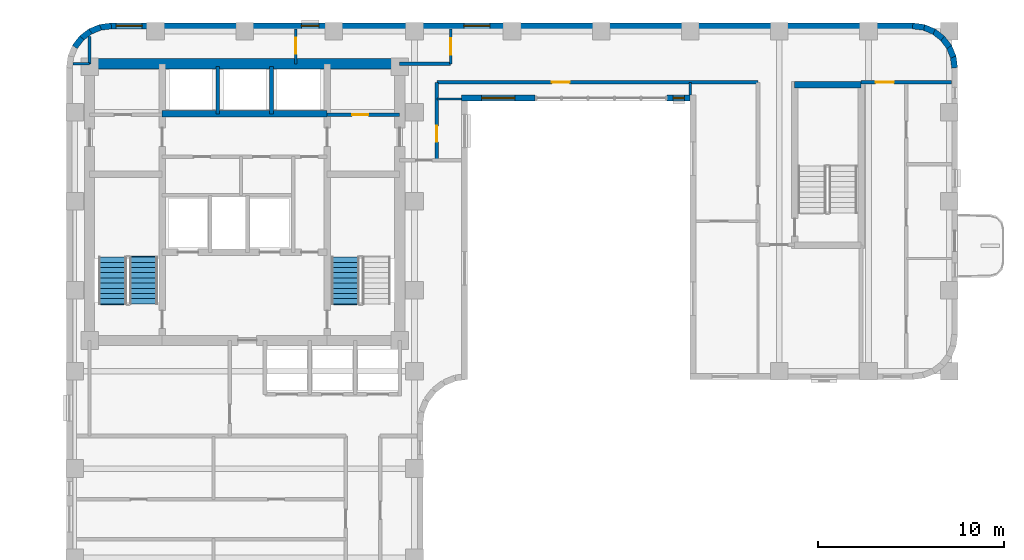
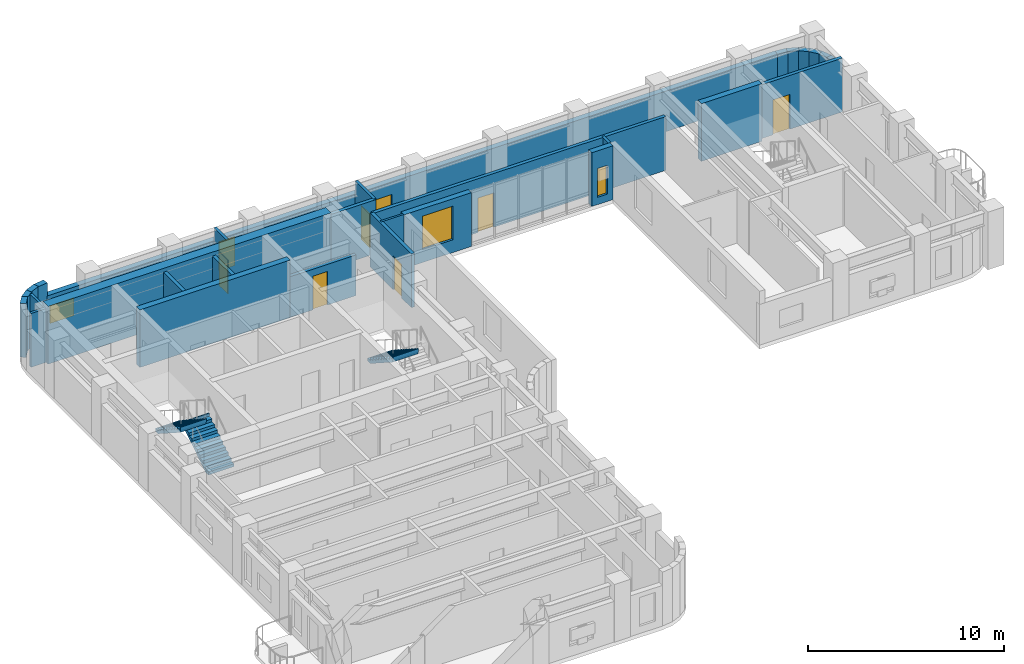
# One storey, part 7 of 11: 29 walls, 6 doors, 5 windows, 3 stair flights, 11 openings, 2 elements without a shape of their own.
"""IFC4 building model written with IfcOpenShell, lengths in metres."""

import ifcopenshell
import ifcopenshell.guid

model = None  # the IFC model being written
_history = None  # IfcOwnerHistory: only IFC2X3 demands one
_inside = {}  # id of a spatial element -> (the spatial element, [elements in it])
_under = {}  # id of a project, library or spatial element -> (it, [spatial elements below it])
_declared = {}  # id of a project -> (the project, [libraries it declares])
_typed = {}  # id of a type object -> (the type object, [elements of that type])
_made_of = {}  # id of a material, layer set ... -> (it, [elements and type objects made of it])


def new_model(schema):
    """Start an empty IFC model of exactly this schema.

    Asked for "IFC4X3", IfcOpenShell would pick the latest addendum, in which some entities
    have other attributes; the version numbers below select the first issue.
    IFC2X3 requires an IfcOwnerHistory on every rooted entity: one is made here for all.
    """
    global model, _history
    if schema == "IFC4X3":
        model = ifcopenshell.file(schema_version=(4, 3, 0, 0))
    else:
        model = ifcopenshell.file(schema=schema)
    _inside.clear()
    _under.clear()
    _declared.clear()
    _typed.clear()
    _made_of.clear()
    _history = None
    if model.schema == "IFC2X3":
        org = make("IfcOrganization", Name="unknown")
        user = make(
            "IfcPersonAndOrganization",
            ThePerson=make("IfcPerson", FamilyName="unknown"),
            TheOrganization=org,
        )
        app = make(
            "IfcApplication",
            ApplicationDeveloper=org,
            Version="unknown",
            ApplicationFullName="unknown",
            ApplicationIdentifier="unknown",
        )
        _history = make(
            "IfcOwnerHistory",
            OwningUser=user,
            OwningApplication=app,
            ChangeAction="ADDED",
            CreationDate=0,
        )
    return model


def make(cls, **values):
    """One entity of the class cls with the attributes given. An attribute that is None is left unset."""
    return model.create_entity(
        cls, **{name: value for name, value in values.items() if value is not None}
    )


def rooted(cls, **values):
    """An entity with a GlobalId (a new one), such as an element, a storey or a relation."""
    return make(cls, GlobalId=ifcopenshell.guid.new(), OwnerHistory=_history, **values)


def si_unit(unit_type, name, prefix=None):
    """IfcSIUnit, for example si_unit("LENGTHUNIT", "METRE", prefix="MILLI")."""
    return make("IfcSIUnit", UnitType=unit_type, Prefix=prefix, Name=name)


def assignment(units):
    """IfcUnitAssignment: the units of a project."""
    return None if units is None else make("IfcUnitAssignment", Units=units)


def point(xyz):
    """IfcCartesianPoint."""
    return None if xyz is None else make("IfcCartesianPoint", Coordinates=xyz)


def direction(xyz):
    """IfcDirection."""
    return None if xyz is None else make("IfcDirection", DirectionRatios=xyz)


def frame(location, z_axis=None, x_axis=None):
    """IfcAxis2Placement3D, a coordinate frame: its origin and axes. An axis left out is left unset."""
    return make(
        "IfcAxis2Placement3D",
        Location=point(location),
        Axis=direction(z_axis),
        RefDirection=direction(x_axis),
    )


def frame_2d(location, x_axis=None):
    """IfcAxis2Placement2D, a coordinate frame in the plane: its origin and x axis."""
    return make(
        "IfcAxis2Placement2D", Location=point(location), RefDirection=direction(x_axis)
    )


def origin():
    """The frame at (0, 0, 0) with its axes left unset."""
    return frame((0.0, 0.0, 0.0))


def place(relative_to, where):
    """IfcLocalPlacement: puts the frame where relative to a parent placement (None: the world)."""
    return make(
        "IfcLocalPlacement", PlacementRelTo=relative_to, RelativePlacement=where
    )


def context(
    kind, dimensions, precision=None, world=None, true_north=None, identifier=None
):
    """IfcGeometricRepresentationContext, for example the 3D "Model" context."""
    return make(
        "IfcGeometricRepresentationContext",
        ContextIdentifier=identifier,
        ContextType=kind,
        CoordinateSpaceDimension=dimensions,
        Precision=precision,
        WorldCoordinateSystem=world,
        TrueNorth=true_north,
    )


def subcontext(parent, identifier, kind, view, scale=None):
    """IfcGeometricRepresentationSubContext, for example "Body" below "Model"."""
    return make(
        "IfcGeometricRepresentationSubContext",
        ContextIdentifier=identifier,
        ContextType=kind,
        ParentContext=parent,
        TargetScale=scale,
        TargetView=view,
    )


def project(units=None, contexts=None):
    """IfcProject with its units and contexts."""
    return rooted(
        "IfcProject",
        Name="project",
        RepresentationContexts=contexts,
        UnitsInContext=assignment(units),
    )


def spatial(cls, under=None, at=None, **own):
    """A site, building, storey or space (cls), placed at a placement, below another one or the project."""
    s = rooted(cls, ObjectPlacement=at, **own)
    if under is not None:
        _under.setdefault(under.id(), (under, []))[1].append(s)
    return s


def polyline(points):
    """IfcPolyline through the points."""
    return make("IfcPolyline", Points=[point(p) for p in points])


def profile(cls, at=None, kind="AREA", **sizes):
    """A parametric profile (cls). Its sizes go by their IFC names, for example OverallWidth=200.0."""
    return make(cls, ProfileType=kind, Position=at, **sizes)


def rectangle(**sizes):
    """IfcRectangleProfileDef."""
    return profile("IfcRectangleProfileDef", **sizes)


def outline(outer, holes=None, kind="AREA"):
    """IfcArbitraryClosedProfileDef: a profile drawn as a closed curve; with holes, ...WithVoids."""
    if holes is None:
        return make("IfcArbitraryClosedProfileDef", ProfileType=kind, OuterCurve=outer)
    return make(
        "IfcArbitraryProfileDefWithVoids",
        ProfileType=kind,
        OuterCurve=outer,
        InnerCurves=holes,
    )


def extrude(swept, where, along, depth):
    """IfcExtrudedAreaSolid: the profile swept, set in the frame where, extruded along a direction by depth."""
    return make(
        "IfcExtrudedAreaSolid",
        SweptArea=swept,
        Position=where,
        ExtrudedDirection=direction(along),
        Depth=depth,
    )


def shape(context_of_items, identifier, shape_type, items):
    """IfcShapeRepresentation: the items that make up one representation, for example the "Body"."""
    return make(
        "IfcShapeRepresentation",
        ContextOfItems=context_of_items,
        RepresentationIdentifier=identifier,
        RepresentationType=shape_type,
        Items=items,
    )


def material(Name=None, Category=None):
    """IfcMaterial."""
    return make("IfcMaterial", Name=Name, Category=Category)


def layer(
    of_material, thickness, ventilated=None, Name=None, Category=None, Priority=None
):
    """IfcMaterialLayer: one layer of a wall or slab, of a material (None: an air gap)."""
    return make(
        "IfcMaterialLayer",
        Material=of_material,
        LayerThickness=thickness,
        IsVentilated=ventilated,
        Name=Name,
        Category=Category,
        Priority=Priority,
    )


def layer_set(layers, Name=None):
    """IfcMaterialLayerSet."""
    return make("IfcMaterialLayerSet", MaterialLayers=layers, LayerSetName=Name)


def made_of(thing, what):
    """Note that an element or type object is made of a material, layer set ...; save() writes the relation."""
    if what is not None:
        _made_of.setdefault(what.id(), (what, []))[1].append(thing)
    return thing


def type_object(cls, material=None, **own):
    """A type object (cls), such as IfcWallType, which elements share."""
    return made_of(rooted(cls, **own), material)


def element(
    cls,
    number,
    at=None,
    inside=None,
    cuts=None,
    type_object=None,
    material=None,
    context=None,
    identifier="Body",
    shape_type=None,
    held_by="IfcProductDefinitionShape",
    body=None,
    shapes=None,
    **own,
):
    """One element of the class cls, such as IfcWall. Its Tag is "e" and its number.

    at: its placement. inside: the storey or other place that contains it. cuts: it is an
    opening in that element (IfcRelVoidsElement). A single representation is given by context,
    identifier, shape_type and body (its items); several are given by shapes. held_by: the class
    of the entity that holds the representations. save() writes the other relations.
    """
    e = rooted(cls, Tag="e%d" % number, ObjectPlacement=at, **own)
    if body is not None:
        shapes = [shape(context, identifier, shape_type, body)]
    if shapes is not None:
        e.Representation = make(held_by, Representations=shapes)
    if inside is not None:
        _inside.setdefault(inside.id(), (inside, []))[1].append(e)
    if cuts is not None:
        rooted(
            "IfcRelVoidsElement", RelatingBuildingElement=cuts, RelatedOpeningElement=e
        )
    if type_object is not None:
        _typed.setdefault(type_object.id(), (type_object, []))[1].append(e)
    return made_of(e, material)


def fill(opening, filler):
    """IfcRelFillsElement: the door or window that sits in an opening."""
    return rooted(
        "IfcRelFillsElement",
        RelatingOpeningElement=opening,
        RelatedBuildingElement=filler,
    )


def aggregate(whole, parts):
    """IfcRelAggregates: a whole, such as a stair, and the parts it consists of."""
    return rooted("IfcRelAggregates", RelatingObject=whole, RelatedObjects=parts)


def save(model, path):
    """Write the relations noted so far, then the file.

    IfcRelAggregates (storeys below a building ...), IfcRelContainedInSpatialStructure (elements
    in a storey), IfcRelDefinesByType, IfcRelAssociatesMaterial and IfcRelDeclares: one each for
    every whole, place, type object, material and project.
    """
    for whole, parts in _under.values():
        aggregate(whole, parts)
    for where, things in _inside.values():
        rooted(
            "IfcRelContainedInSpatialStructure",
            RelatedElements=things,
            RelatingStructure=where,
        )
    for kind, things in _typed.values():
        rooted("IfcRelDefinesByType", RelatedObjects=things, RelatingType=kind)
    for what, things in _made_of.values():
        rooted("IfcRelAssociatesMaterial", RelatedObjects=things, RelatingMaterial=what)
    for by, libraries in _declared.values():
        rooted("IfcRelDeclares", RelatingContext=by, RelatedDefinitions=libraries)
    model.write(path)


model = new_model("IFC4")

# Units and contexts
model_context = context("Model", 3, precision=1e-05, world=origin(), true_north=direction((0.0, 1.0)))
body_context = subcontext(model_context, "Body", "Model", "MODEL_VIEW")
ifc_project = project(units=[si_unit("LENGTHUNIT", "METRE"), si_unit("AREAUNIT", "SQUARE_METRE"), si_unit("VOLUMEUNIT", "CUBIC_METRE"), si_unit("PLANEANGLEUNIT", "RADIAN"), si_unit("MASSUNIT", "GRAM", prefix="KILO")], contexts=[model_context])

# Site, building, storey
site_placement = place(None, origin())
site = spatial("IfcSite", under=ifc_project, at=site_placement, CompositionType="ELEMENT")
building_placement = place(site_placement, origin())
building = spatial("IfcBuilding", under=site, at=building_placement, Name="Orvandelia Arch Residences", CompositionType="ELEMENT")
storey_placement = place(building_placement, frame((0.0, 0.0, 157.60009765625)))
storey = spatial("IfcBuildingStorey", under=building, at=storey_placement, Name="L41", CompositionType="ELEMENT", Elevation=157.60009765625)

# Walls
ifc_material_1 = material(Name="Concrete C50/60", Category="concrete")
ifc_layer_1 = layer(ifc_material_1, 0.35009765625, Name="Concrete C50/60", Category="concrete")
ifc_layer_set_1 = layer_set([ifc_layer_1], Name="Concrete C50/60")
wall_type_1 = type_object("IfcWallType", Name="WL-CORE-350", PredefinedType="SHEAR", material=ifc_layer_set_1)
wall_1_placement = place(storey_placement, frame((9.9599609375, 43.10009765625, 0.0), z_axis=(0.0, 0.0, 1.0), x_axis=(1.0, 0.0, 0.0)))
element("IfcWall", 1, at=wall_1_placement, inside=storey, type_object=wall_type_1, Name="Core Shear Wall L41-HZ4", PredefinedType="SHEAR", context=body_context, shape_type="SweptSolid", body=[
    extrude(rectangle(XDim=8.880126953125, YDim=0.35009765625, at=frame_2d((4.43994140625, 0.0))), origin(), (0.0, 0.0, 1.0), 3.599853515625),
])
wall_2_placement = place(storey_placement, frame((44.02001953125, 44.659912109375, 0.0), z_axis=(0.0, 0.0, 1.0), x_axis=(1.0, 0.0, 0.0)))
element("IfcWall", 2, at=wall_2_placement, inside=storey, type_object=wall_type_1, Name="East Stair Core Shear Wall L41-N", PredefinedType="SHEAR", context=body_context, shape_type="SweptSolid", body=[
    extrude(rectangle(XDim=3.580078125, YDim=0.35009765625, at=frame_2d((1.7900390625, 0.0))), origin(), (0.0, 0.0, 1.0), 3.599853515625),
])
ifc_material_2 = material(Name="Concrete C60/75", Category="concrete")
ifc_layer_2 = layer(ifc_material_2, 0.550048828125, Name="Concrete C60/75", Category="concrete")
ifc_layer_set_2 = layer_set([ifc_layer_2], Name="Concrete C60/75")
wall_type_2 = type_object("IfcWallType", Name="WL-CORE-550", PredefinedType="SHEAR", material=ifc_layer_set_2)
wall_3_placement = place(storey_placement, frame((6.050048828125, 45.800048828125, 0.0), z_axis=(0.0, 0.0, 1.0), x_axis=(1.0, 0.0, 0.0)))
element("IfcWall", 3, at=wall_3_placement, inside=storey, type_object=wall_type_2, Name="Core Shear Wall L41-N", PredefinedType="SHEAR", context=body_context, shape_type="SweptSolid", body=[
    extrude(rectangle(XDim=16.699951171875, YDim=0.550048828125, at=frame_2d((8.35009765625, 0.0))), origin(), (0.0, 0.0, 1.0), 3.599853515625),
])
ifc_material_3 = material(Name="Fire-Rated Corridor Partition")
ifc_layer_3 = layer(ifc_material_3, 0.199951171875, Name="Fire-Rated Corridor Partition")
ifc_layer_set_3 = layer_set([ifc_layer_3], Name="Fire-Rated Corridor Partition")
wall_type_3 = type_object("IfcWallType", Name="WL-CORR-200", PredefinedType="PARTITIONING", material=ifc_layer_set_3)
wall_4_placement = place(storey_placement, frame((22.75, 45.800048828125, 0.0), z_axis=(0.0, 0.0, 1.0), x_axis=(1.0, 0.0, 0.0)))
element("IfcWall", 4, at=wall_4_placement, inside=storey, type_object=wall_type_3, Name="Interior Partition Wall WL-L41-NCE-S", PredefinedType="PARTITIONING", context=body_context, shape_type="SweptSolid", body=[
    extrude(rectangle(XDim=2.75, YDim=0.199951171875, at=frame_2d((1.375, 0.0))), origin(), (0.0, 0.0, 1.0), 3.35986328125),
])

# Wall, opening, door
wall_5_placement = place(storey_placement, frame((24.75, 44.800048828125, 0.0), z_axis=(0.0, 0.0, 1.0), x_axis=(1.0, 0.0, 0.0)))
wall_5 = element("IfcWall", 5, at=wall_5_placement, inside=storey, type_object=wall_type_3, Name="Interior Partition Wall WL-L41-ENP-S1", PredefinedType="PARTITIONING", context=body_context, shape_type="SweptSolid", body=[
    extrude(rectangle(XDim=17.300048828125, YDim=0.199951171875, at=frame_2d((8.64990234375, 0.0))), origin(), (0.0, 0.0, 1.0), 3.35986328125),
])
opening_1_placement = place(wall_5_placement, frame((6.199951171875, 0.0, 0.0)))
opening_1 = element("IfcOpeningElement", 6, at=opening_1_placement, cuts=wall_5, Name="Opening D2", PredefinedType="OPENING", context=body_context, shape_type="SweptSolid", body=[
    extrude(rectangle(XDim=0.949951171875, YDim=2.14990234375, at=frame_2d((0.47509765625, 1.074951171875))), frame((0.0, 0.10986328125, 0.0), z_axis=(0.0, -1.0, 0.0), x_axis=(1.0, 0.0, 0.0)), (0.0, 0.0, 1.0), 0.219970703125),
])
ifc_material_4 = material(Name="Solid-Core Timber Interior Fire Door", Category="wood")
door_type_1 = type_object("IfcDoorType", Name="DR-APT-950", OperationType="NOTDEFINED", PredefinedType="DOOR", material=ifc_material_4)
door_1_placement = place(opening_1_placement, origin())
door_1 = element("IfcDoor", 7, at=door_1_placement, inside=storey, type_object=door_type_1, Name="DR-L41-VPBRG", OperationType="SINGLE_SWING_LEFT", OverallHeight=2.14990234375, OverallWidth=0.949951171875, PredefinedType="DOOR", context=body_context, shape_type="SweptSolid", body=[
    extrude(rectangle(XDim=0.949951171875, YDim=2.14990234375, at=frame_2d((0.47509765625, 1.074951171875))), frame((0.0, 0.02490234375, 0.0), z_axis=(0.0, -1.0, 0.0), x_axis=(1.0, 0.0, 0.0)), (0.0, 0.0, 1.0), 0.050048828125),
])
fill(opening_1, door_1)

wall_6_placement = place(storey_placement, frame((47.60009765625, 44.800048828125, 0.0), z_axis=(0.0, 0.0, 1.0), x_axis=(1.0, 0.0, 0.0)))
wall_6 = element("IfcWall", 8, at=wall_6_placement, inside=storey, type_object=wall_type_3, Name="Interior Partition Wall WL-L41-ENP-S2", PredefinedType="PARTITIONING", context=body_context, shape_type="SweptSolid", body=[
    extrude(rectangle(XDim=4.8798828125, YDim=0.199951171875, at=frame_2d((2.43994140625, 0.0))), origin(), (0.0, 0.0, 1.0), 3.35986328125),
])
opening_2_placement = place(wall_6_placement, frame((0.79150390625, 0.0, 0.0)))
opening_2 = element("IfcOpeningElement", 9, at=opening_2_placement, cuts=wall_6, Name="Opening D1", PredefinedType="OPENING", context=body_context, shape_type="SweptSolid", body=[
    extrude(rectangle(XDim=0.97998046875, YDim=2.179931640625, at=frame_2d((0.489990234375, 1.08984375))), frame((0.0, 0.10986328125, 0.0), z_axis=(0.0, -1.0, 0.0), x_axis=(1.0, 0.0, 0.0)), (0.0, 0.0, 1.0), 0.219970703125),
])
ifc_material_5 = material(Name="Solid-Core Timber Acoustic Fire Door", Category="wood")
door_type_2 = type_object("IfcDoorType", Name="DR-ENT-980", OperationType="NOTDEFINED", PredefinedType="DOOR", material=ifc_material_5)
door_2_placement = place(opening_2_placement, origin())
door_2 = element("IfcDoor", 10, at=door_2_placement, inside=storey, type_object=door_type_2, Name="Unit L41-04 Entrance Door", OperationType="SINGLE_SWING_RIGHT", OverallHeight=2.179931640625, OverallWidth=0.97998046875, PredefinedType="DOOR", context=body_context, shape_type="SweptSolid", body=[
    extrude(rectangle(XDim=0.97998046875, YDim=2.179931640625, at=frame_2d((0.489990234375, 1.08984375))), frame((0.0, 0.02490234375, 0.0), z_axis=(0.0, -1.0, 0.0), x_axis=(1.0, 0.0, 0.0)), (0.0, 0.0, 1.0), 0.050048828125),
])
fill(opening_2, door_2)

wall_7_placement = place(storey_placement, frame((24.75, 40.60009765625, 0.0), z_axis=(0.0, 0.0, 1.0), x_axis=(0.0, 1.0, 0.0)))
wall_7 = element("IfcWall", 11, at=wall_7_placement, inside=storey, type_object=wall_type_3, Name="Interior Partition Wall WL-L41-ENP-LW", PredefinedType="PARTITIONING", context=body_context, shape_type="SweptSolid", body=[
    extrude(rectangle(XDim=4.199951171875, YDim=0.199951171875, at=frame_2d((2.10009765625, 0.0))), origin(), (0.0, 0.0, 1.0), 3.35986328125),
])
opening_3_placement = place(wall_7_placement, frame((1.0, 0.0, 0.0)))
opening_3 = element("IfcOpeningElement", 12, at=opening_3_placement, cuts=wall_7, Name="Opening D4", PredefinedType="OPENING", context=body_context, shape_type="SweptSolid", body=[
    extrude(rectangle(XDim=0.860107421875, YDim=2.10009765625, at=frame_2d((0.43017578125, 1.050048828125))), frame((0.0, 0.10986328125, 0.0), z_axis=(0.0, -1.0, 0.0), x_axis=(1.0, 0.0, 0.0)), (0.0, 0.0, 1.0), 0.219970703125),
])
ifc_material_6 = material(Name="Moisture-Sealed Timber Bathroom Door", Category="wood")
door_type_3 = type_object("IfcDoorType", Name="DR-WET-900", OperationType="NOTDEFINED", PredefinedType="DOOR", material=ifc_material_6)
door_3_placement = place(opening_3_placement, origin())
door_3 = element("IfcDoor", 13, at=door_3_placement, inside=storey, type_object=door_type_3, Name="DR-L41-VPWNK", OperationType="SINGLE_SWING_RIGHT", OverallHeight=2.10009765625, OverallWidth=0.860107421875, PredefinedType="DOOR", context=body_context, shape_type="SweptSolid", body=[
    extrude(rectangle(XDim=0.860107421875, YDim=2.10009765625, at=frame_2d((0.43017578125, 1.050048828125))), frame((0.0, 0.02490234375, 0.0), z_axis=(0.0, -1.0, 0.0), x_axis=(1.0, 0.0, 0.0)), (0.0, 0.0, 1.0), 0.050048828125),
])
fill(opening_3, door_3)

# Walls
ifc_material_7 = material(Name="Precast concrete C40/50", Category="concrete")
ifc_layer_4 = layer(ifc_material_7, 0.320068359375, Name="Precast concrete C40/50", Category="concrete")
ifc_layer_set_4 = layer_set([ifc_layer_4], Name="Precast concrete C40/50")
wall_type_4 = type_object("IfcWallType", Name="WL-EXT-STONE-320", PredefinedType="STANDARD", material=ifc_layer_set_4)
wall_8_placement = place(storey_placement, frame((5.248291015625, 46.70263671875, 0.0), z_axis=(0.0, 0.0, 1.0), x_axis=(0.608938521285, 0.7932174212, 0.0)))
element("IfcWall", 14, at=wall_8_placement, inside=storey, type_object=wall_type_4, Name="Coral-Limestone Precast Facade Wall L41-003", PredefinedType="STANDARD", context=body_context, shape_type="SweptSolid", body=[
    extrude(rectangle(XDim=0.626708984375, YDim=0.320068359375, at=frame_2d((0.3134765625, 0.0))), origin(), (0.0, 0.0, 1.0), 3.35986328125),
])
wall_9_placement = place(storey_placement, frame((5.600341796875, 47.170166015625, 0.0), z_axis=(0.0, 0.0, 1.0), x_axis=(0.793405610854, 0.608693302629, 0.0)))
element("IfcWall", 15, at=wall_9_placement, inside=storey, type_object=wall_type_4, Name="Coral-Limestone Precast Facade Wall L41-004", PredefinedType="STANDARD", context=body_context, shape_type="SweptSolid", body=[
    extrude(rectangle(XDim=0.62646484375, YDim=0.320068359375, at=frame_2d((0.313232421875, 0.0))), origin(), (0.0, 0.0, 1.0), 3.35986328125),
])
wall_10_placement = place(storey_placement, frame((6.061279296875, 47.53076171875, 0.0), z_axis=(0.0, 0.0, 1.0), x_axis=(0.923836271867, 0.382787856107, 0.0)))
element("IfcWall", 16, at=wall_10_placement, inside=storey, type_object=wall_type_4, Name="Coral-Limestone Precast Facade Wall L41-005", PredefinedType="STANDARD", context=body_context, shape_type="SweptSolid", body=[
    extrude(rectangle(XDim=0.626220703125, YDim=0.320068359375, at=frame_2d((0.31298828125, 0.0))), origin(), (0.0, 0.0, 1.0), 3.35986328125),
])
wall_11_placement = place(storey_placement, frame((6.599609375, 47.759521484375, 0.0), z_axis=(0.0, 0.0, 1.0), x_axis=(0.991447664465, 0.130504898859, 0.0)))
element("IfcWall", 17, at=wall_11_placement, inside=storey, type_object=wall_type_4, Name="Coral-Limestone Precast Facade Wall L41-006", PredefinedType="STANDARD", context=body_context, shape_type="SweptSolid", body=[
    extrude(rectangle(XDim=0.626708984375, YDim=0.320068359375, at=frame_2d((0.3134765625, 0.0))), origin(), (0.0, 0.0, 1.0), 3.35986328125),
])

# Wall, openings, windows
wall_12_placement = place(storey_placement, frame((7.199951171875, 47.840087890625, 0.0), z_axis=(0.0, 0.0, 1.0), x_axis=(1.0, 0.0, 0.0)))
wall_12 = element("IfcWall", 18, at=wall_12_placement, inside=storey, type_object=wall_type_4, Name="Coral-Limestone Precast Facade Wall L41-007", PredefinedType="STANDARD", context=body_context, shape_type="SweptSolid", body=[
    extrude(rectangle(XDim=43.199951171875, YDim=0.320068359375, at=frame_2d((21.60009765625, 0.0))), origin(), (0.0, 0.0, 1.0), 2.539794921875),
])
opening_4_placement = place(wall_12_placement, frame((19.00244140625, 0.0, 0.64990234375)))
opening_4 = element("IfcOpeningElement", 19, at=opening_4_placement, cuts=wall_12, Name="Opening W10", PredefinedType="OPENING", context=body_context, shape_type="SweptSolid", body=[
    extrude(rectangle(XDim=1.39990234375, YDim=1.10009765625, at=frame_2d((0.699951171875, 0.550048828125))), frame((0.0, 0.169921875, 0.0), z_axis=(0.0, -1.0, 0.0), x_axis=(1.0, 0.0, 0.0)), (0.0, 0.0, 1.0), 0.340087890625),
])
opening_5_placement = place(wall_12_placement, frame((0.282470703125, 0.0, 0.64990234375)))
opening_5 = element("IfcOpeningElement", 20, at=opening_5_placement, cuts=wall_12, Name="Opening W10", PredefinedType="OPENING", context=body_context, shape_type="SweptSolid", body=[
    extrude(rectangle(XDim=1.39990234375, YDim=1.10009765625, at=frame_2d((0.699951171875, 0.550048828125))), frame((0.0, 0.169921875, 0.0), z_axis=(0.0, -1.0, 0.0), x_axis=(1.0, 0.0, 0.0)), (0.0, 0.0, 1.0), 0.340087890625),
])
opening_6_placement = place(wall_12_placement, frame((10.25244140625, 0.0, 0.449951171875)))
opening_6 = element("IfcOpeningElement", 21, at=opening_6_placement, cuts=wall_12, Name="Opening W4", PredefinedType="OPENING", context=body_context, shape_type="SweptSolid", body=[
    extrude(rectangle(XDim=0.949951171875, YDim=1.800048828125, at=frame_2d((0.47509765625, 0.89990234375))), frame((0.0, 0.169921875, 0.0), z_axis=(0.0, -1.0, 0.0), x_axis=(1.0, 0.0, 0.0)), (0.0, 0.0, 1.0), 0.340087890625),
])
ifc_material_8 = material(Name="Tempered Low-E Insulated Glazing", Category="glass")
window_type_1 = type_object("IfcWindowType", Name="WIN-CLR-1400x1100", PartitioningType="SINGLE_PANEL", PredefinedType="WINDOW", material=ifc_material_8)
window_1_placement = place(opening_4_placement, origin())
window_1 = element("IfcWindow", 22, at=window_1_placement, inside=storey, type_object=window_type_1, Name="Recessed Punched Window L41-001", OverallHeight=1.10009765625, OverallWidth=1.39990234375, PartitioningType="SINGLE_PANEL", PredefinedType="WINDOW", context=body_context, shape_type="SweptSolid", body=[
    extrude(rectangle(XDim=1.39990234375, YDim=1.10009765625, at=frame_2d((0.699951171875, 0.550048828125))), frame((0.0, 0.030029296875, 0.0), z_axis=(0.0, -1.0, 0.0), x_axis=(1.0, 0.0, 0.0)), (0.0, 0.0, 1.0), 0.06005859375),
])
fill(opening_4, window_1)
window_2_placement = place(opening_5_placement, origin())
window_2 = element("IfcWindow", 23, at=window_2_placement, inside=storey, type_object=window_type_1, Name="Recessed Punched Window L41-002", OverallHeight=1.10009765625, OverallWidth=1.39990234375, PartitioningType="SINGLE_PANEL", PredefinedType="WINDOW", context=body_context, shape_type="SweptSolid", body=[
    extrude(rectangle(XDim=1.39990234375, YDim=1.10009765625, at=frame_2d((0.699951171875, 0.550048828125))), frame((0.0, 0.030029296875, 0.0), z_axis=(0.0, -1.0, 0.0), x_axis=(1.0, 0.0, 0.0)), (0.0, 0.0, 1.0), 0.06005859375),
])
fill(opening_5, window_2)
window_type_2 = type_object("IfcWindowType", Name="WIN-RES-0950x1800", PartitioningType="SINGLE_PANEL", PredefinedType="WINDOW", material=ifc_material_8)
window_3_placement = place(opening_6_placement, origin())
window_3 = element("IfcWindow", 24, at=window_3_placement, inside=storey, type_object=window_type_2, Name="Recessed Punched Window L41-003", OverallHeight=1.800048828125, OverallWidth=0.949951171875, PartitioningType="SINGLE_PANEL", PredefinedType="WINDOW", context=body_context, shape_type="SweptSolid", body=[
    extrude(rectangle(XDim=0.949951171875, YDim=1.800048828125, at=frame_2d((0.47509765625, 0.89990234375))), frame((0.0, 0.030029296875, 0.0), z_axis=(0.0, -1.0, 0.0), x_axis=(1.0, 0.0, 0.0)), (0.0, 0.0, 1.0), 0.06005859375),
])
fill(opening_6, window_3)

# Walls
for number, where, z_axis, x_axis, name in (
    (25, (50.379150390625, 47.84130859375, 0.0), (0.0, 0.0, 1.0), (0.9914410257, -0.130555323746, 0.0), "Coral-Limestone Precast Facade Wall L41-008"),
    (26, (50.9599609375, 47.7705078125, 0.0), (0.0, 0.0, 1.0), (0.92389335771, -0.382650053678, 0.0), "Coral-Limestone Precast Facade Wall L41-009"),
    (27, (51.502685546875, 47.551513671875, 0.0), (0.0, 0.0, 1.0), (0.793405610854, -0.608693302629, 0.0), "Coral-Limestone Precast Facade Wall L41-010"),
    (28, (51.97021484375, 47.19970703125, 0.0), (0.0, 0.0, 1.0), (0.608693302629, -0.793405610854, 0.0), "Coral-Limestone Precast Facade Wall L41-011"),
    (29, (52.330810546875, 46.73876953125, 0.0), (0.0, 0.0, 1.0), (0.382317370307, -0.924031075431, 0.0), "Coral-Limestone Precast Facade Wall L41-012"),
    (30, (52.5595703125, 46.2001953125, 0.0), (0.0, 0.0, 1.0), (0.130555323746, -0.9914410257, 0.0), "Coral-Limestone Precast Facade Wall L41-013"),
):
    element("IfcWall", number, at=place(storey_placement, frame(where, z_axis=z_axis, x_axis=x_axis)), inside=storey, type_object=wall_type_4, Name=name, PredefinedType="STANDARD", context=body_context, shape_type="SweptSolid", body=[
        extrude(rectangle(XDim=0.62646484375, YDim=0.320068359375, at=frame_2d((0.313232421875, 0.0))), origin(), (0.0, 0.0, 1.0), 2.539794921875),
    ])

# Wall, opening, window
wall_13_placement = place(storey_placement, frame((38.39990234375, 43.9599609375, 0.0), z_axis=(0.0, 0.0, 1.0), x_axis=(-1.0, 0.0, 0.0)))
wall_13 = element("IfcWall", 31, at=wall_13_placement, inside=storey, type_object=wall_type_4, Name="Coral-Limestone Precast Facade Wall L41-023", PredefinedType="STANDARD", context=body_context, shape_type="SweptSolid", body=[
    extrude(rectangle(XDim=1.239990234375, YDim=0.320068359375, at=frame_2d((0.6201171875, 0.0))), origin(), (0.0, 0.0, 1.0), 3.35986328125),
])
opening_7_placement = place(wall_13_placement, frame((0.320068359375, 0.0, 0.449951171875)))
opening_7 = element("IfcOpeningElement", 32, at=opening_7_placement, cuts=wall_13, Name="Opening W12", PredefinedType="OPENING", context=body_context, shape_type="SweptSolid", body=[
    extrude(rectangle(XDim=0.60009765625, YDim=1.800048828125, at=frame_2d((0.300048828125, 0.89990234375))), frame((0.0, 0.169921875, 0.0), z_axis=(0.0, -1.0, 0.0), x_axis=(1.0, 0.0, 0.0)), (0.0, 0.0, 1.0), 0.340087890625),
])
window_type_3 = type_object("IfcWindowType", Name="WIN-LAN-0600x1800", PartitioningType="SINGLE_PANEL", PredefinedType="WINDOW", material=ifc_material_8)
window_4_placement = place(opening_7_placement, origin())
window_4 = element("IfcWindow", 33, at=window_4_placement, inside=storey, type_object=window_type_3, Name="Recessed Punched Window L41-012", OverallHeight=1.800048828125, OverallWidth=0.60009765625, PartitioningType="SINGLE_PANEL", PredefinedType="WINDOW", context=body_context, shape_type="SweptSolid", body=[
    extrude(rectangle(XDim=0.60009765625, YDim=1.800048828125, at=frame_2d((0.300048828125, 0.89990234375))), frame((0.0, 0.030029296875, 0.0), z_axis=(0.0, -1.0, 0.0), x_axis=(1.0, 0.0, 0.0)), (0.0, 0.0, 1.0), 0.06005859375),
])
fill(opening_7, window_4)

wall_14_placement = place(storey_placement, frame((30.0400390625, 43.9599609375, 0.0), z_axis=(0.0, 0.0, 1.0), x_axis=(-1.0, 0.0, 0.0)))
wall_14 = element("IfcWall", 34, at=wall_14_placement, inside=storey, type_object=wall_type_4, Name="Coral-Limestone Precast Facade Wall L41-024", PredefinedType="STANDARD", context=body_context, shape_type="SweptSolid", body=[
    extrude(rectangle(XDim=3.9599609375, YDim=0.320068359375, at=frame_2d((1.97998046875, 0.0))), origin(), (0.0, 0.0, 1.0), 3.35986328125),
])
opening_8_placement = place(wall_14_placement, frame((1.080078125, 0.0, 0.800048828125)))
opening_8 = element("IfcOpeningElement", 35, at=opening_8_placement, cuts=wall_14, Name="Opening W1", PredefinedType="OPENING", context=body_context, shape_type="SweptSolid", body=[
    extrude(rectangle(XDim=1.800048828125, YDim=2.10009765625, at=frame_2d((0.89990234375, 1.050048828125))), frame((0.0, 0.169921875, 0.0), z_axis=(0.0, -1.0, 0.0), x_axis=(1.0, 0.0, 0.0)), (0.0, 0.0, 1.0), 0.340087890625),
])
window_type_4 = type_object("IfcWindowType", Name="WIN-RES-1800x2100", PartitioningType="SINGLE_PANEL", PredefinedType="WINDOW", material=ifc_material_8)
window_5_placement = place(opening_8_placement, origin())
window_5 = element("IfcWindow", 36, at=window_5_placement, inside=storey, type_object=window_type_4, Name="Recessed Punched Window L41-013", OverallHeight=2.10009765625, OverallWidth=1.800048828125, PartitioningType="SINGLE_PANEL", PredefinedType="WINDOW", context=body_context, shape_type="SweptSolid", body=[
    extrude(rectangle(XDim=1.800048828125, YDim=2.10009765625, at=frame_2d((0.89990234375, 1.050048828125))), frame((0.0, 0.030029296875, 0.0), z_axis=(0.0, -1.0, 0.0), x_axis=(1.0, 0.0, 0.0)), (0.0, 0.0, 1.0), 0.06005859375),
])
fill(opening_8, window_5)

# Walls
ifc_material_9 = material(Name="Lightweight Gypsum Stud Partition")
ifc_layer_5 = layer(ifc_material_9, 0.1201171875, Name="Lightweight Gypsum Stud Partition")
ifc_layer_set_5 = layer_set([ifc_layer_5], Name="Lightweight Gypsum Stud Partition")
wall_type_5 = type_object("IfcWallType", Name="WL-PART-120", PredefinedType="PARTITIONING", material=ifc_layer_set_5)
wall_15_placement = place(storey_placement, frame((24.75, 43.89990234375, 0.0), z_axis=(0.0, 0.0, 1.0), x_axis=(1.0, 0.0, 0.0)))
element("IfcWall", 37, at=wall_15_placement, inside=storey, type_object=wall_type_5, Name="Interior Partition Wall WL-L41-VPWNK-N", PredefinedType="PARTITIONING", context=body_context, shape_type="SweptSolid", body=[
    extrude(rectangle(XDim=1.330078125, YDim=0.1201171875, at=frame_2d((0.6650390625, 0.0))), origin(), (0.0, 0.0, 1.0), 3.35986328125),
])
ifc_material_10 = material(Name="Acoustic Gypsum Stud Partition")
ifc_layer_6 = layer(ifc_material_10, 0.14990234375, Name="Acoustic Gypsum Stud Partition")
ifc_layer_set_6 = layer_set([ifc_layer_6], Name="Acoustic Gypsum Stud Partition")
wall_type_6 = type_object("IfcWallType", Name="WL-PART-150", PredefinedType="PARTITIONING", material=ifc_layer_set_6)
wall_16_placement = place(storey_placement, frame((5.159912109375, 45.800048828125, 0.0), z_axis=(0.0, 0.0, 1.0), x_axis=(1.0, 0.0, 0.0)))
element("IfcWall", 38, at=wall_16_placement, inside=storey, type_object=wall_type_6, Name="Interior Partition Wall WL-L41-WF-N", PredefinedType="PARTITIONING", context=body_context, shape_type="SweptSolid", body=[
    extrude(rectangle(XDim=0.89013671875, YDim=0.14990234375, at=frame_2d((0.445068359375, 0.0))), origin(), (0.0, 0.0, 1.0), 3.35986328125),
])

# Wall, opening, door
wall_17_placement = place(storey_placement, frame((25.5, 45.800048828125, 0.0), z_axis=(0.0, 0.0, 1.0), x_axis=(0.0, 1.0, 0.0)))
wall_17 = element("IfcWall", 39, at=wall_17_placement, inside=storey, type_object=wall_type_6, Name="Interior Partition Wall WL-L41-NCE-W", PredefinedType="PARTITIONING", context=body_context, shape_type="SweptSolid", body=[
    extrude(rectangle(XDim=1.8798828125, YDim=0.14990234375, at=frame_2d((0.93994140625, 0.0))), origin(), (0.0, 0.0, 1.0), 3.35986328125),
])
opening_9_placement = place(wall_17_placement, frame((0.5, 0.0, 0.0)))
opening_9 = element("IfcOpeningElement", 40, at=opening_9_placement, cuts=wall_17, Name="Opening D5", PredefinedType="OPENING", context=body_context, shape_type="SweptSolid", body=[
    extrude(rectangle(XDim=0.8798828125, YDim=2.10009765625, at=frame_2d((0.43994140625, 1.050048828125))), frame((0.0, 0.0849609375, 0.0), z_axis=(0.0, -1.0, 0.0), x_axis=(1.0, 0.0, 0.0)), (0.0, 0.0, 1.0), 0.169921875),
])
ifc_material_11 = material(Name="Painted Galvanised Steel Service Door", Category="steel")
door_type_4 = type_object("IfcDoorType", Name="DR-SRV-880", OperationType="NOTDEFINED", PredefinedType="DOOR", material=ifc_material_11)
door_4_placement = place(opening_9_placement, origin())
door_4 = element("IfcDoor", 41, at=door_4_placement, inside=storey, type_object=door_type_4, Name="DR-L41-NCS2", OperationType="SINGLE_SWING_LEFT", OverallHeight=2.10009765625, OverallWidth=0.8798828125, PredefinedType="DOOR", context=body_context, shape_type="SweptSolid", body=[
    extrude(rectangle(XDim=0.8798828125, YDim=2.10009765625, at=frame_2d((0.43994140625, 1.050048828125))), frame((0.0, 0.02490234375, 0.0), z_axis=(0.0, -1.0, 0.0), x_axis=(1.0, 0.0, 0.0)), (0.0, 0.0, 1.0), 0.050048828125),
])
fill(opening_9, door_4)

# Wall
wall_18_placement = place(storey_placement, frame((6.050048828125, 45.800048828125, 0.0), z_axis=(0.0, 0.0, 1.0), x_axis=(0.0, 1.0, 0.0)))
element("IfcWall", 42, at=wall_18_placement, inside=storey, type_object=wall_type_6, Name="Interior Partition Wall WL-L41-NC-W6", PredefinedType="PARTITIONING", context=body_context, shape_type="SweptSolid", body=[
    extrude(rectangle(XDim=1.4599609375, YDim=0.14990234375, at=frame_2d((0.72998046875, 0.0))), origin(), (0.0, 0.0, 1.0), 3.35986328125),
])

# Wall, opening, door
wall_19_placement = place(storey_placement, frame((17.14990234375, 45.800048828125, 0.0), z_axis=(0.0, 0.0, 1.0), x_axis=(0.0, 1.0, 0.0)))
wall_19 = element("IfcWall", 43, at=wall_19_placement, inside=storey, type_object=wall_type_6, Name="Interior Partition Wall WL-L41-NC-M", PredefinedType="PARTITIONING", context=body_context, shape_type="SweptSolid", body=[
    extrude(rectangle(XDim=1.8798828125, YDim=0.14990234375, at=frame_2d((0.93994140625, 0.0))), origin(), (0.0, 0.0, 1.0), 3.35986328125),
])
opening_10_placement = place(wall_19_placement, frame((0.550048828125, 0.0, 0.0)))
opening_10 = element("IfcOpeningElement", 44, at=opening_10_placement, cuts=wall_19, Name="Opening D4", PredefinedType="OPENING", context=body_context, shape_type="SweptSolid", body=[
    extrude(rectangle(XDim=0.860107421875, YDim=2.10009765625, at=frame_2d((0.43017578125, 1.050048828125))), frame((0.0, 0.0849609375, 0.0), z_axis=(0.0, -1.0, 0.0), x_axis=(1.0, 0.0, 0.0)), (0.0, 0.0, 1.0), 0.169921875),
])
door_5_placement = place(opening_10_placement, origin())
door_5 = element("IfcDoor", 45, at=door_5_placement, inside=storey, type_object=door_type_3, Name="DR-L41-NCS1", OperationType="SINGLE_SWING_LEFT", OverallHeight=2.10009765625, OverallWidth=0.860107421875, PredefinedType="DOOR", context=body_context, shape_type="SweptSolid", body=[
    extrude(rectangle(XDim=0.860107421875, YDim=2.10009765625, at=frame_2d((0.43017578125, 1.050048828125))), frame((0.0, 0.02490234375, 0.0), z_axis=(0.0, -1.0, 0.0), x_axis=(1.0, 0.0, 0.0)), (0.0, 0.0, 1.0), 0.050048828125),
])
fill(opening_10, door_5)

# Wall
wall_20_placement = place(storey_placement, frame((38.39990234375, 44.1201171875, 0.0), z_axis=(0.0, 0.0, 1.0), x_axis=(0.0, 1.0, 0.0)))
element("IfcWall", 46, at=wall_20_placement, inside=storey, type_object=wall_type_6, Name="Interior Partition Wall WL-L41-VPBRG-E", PredefinedType="PARTITIONING", context=body_context, shape_type="SweptSolid", body=[
    extrude(rectangle(XDim=0.679931640625, YDim=0.14990234375, at=frame_2d((0.33984375, 0.0))), origin(), (0.0, 0.0, 1.0), 3.35986328125),
])

# Wall, opening, door
ifc_material_12 = material(Name="Fire-Rated Shaft Enclosure Wall")
ifc_layer_7 = layer(ifc_material_12, 0.199951171875, Name="Fire-Rated Shaft Enclosure Wall")
ifc_layer_set_7 = layer_set([ifc_layer_7], Name="Fire-Rated Shaft Enclosure Wall")
wall_type_7 = type_object("IfcWallType", Name="WL-SHAFT-200", PredefinedType="POLYGONAL", material=ifc_layer_set_7)
wall_21_placement = place(storey_placement, frame((18.840087890625, 43.050048828125, 0.0), z_axis=(0.0, 0.0, 1.0), x_axis=(1.0, 0.0, 0.0)))
wall_21 = element("IfcWall", 47, at=wall_21_placement, inside=storey, type_object=wall_type_7, Name="Interior Partition Wall WL-L41-HLE-N", PredefinedType="POLYGONAL", context=body_context, shape_type="SweptSolid", body=[
    extrude(rectangle(XDim=3.909912109375, YDim=0.199951171875, at=frame_2d((1.955078125, 0.0))), origin(), (0.0, 0.0, 1.0), 2.539794921875),
])
opening_11_placement = place(wall_21_placement, frame((1.35009765625, 0.0, 0.0)))
opening_11 = element("IfcOpeningElement", 48, at=opening_11_placement, cuts=wall_21, Name="Opening D5", PredefinedType="OPENING", context=body_context, shape_type="SweptSolid", body=[
    extrude(rectangle(XDim=0.8798828125, YDim=2.10009765625, at=frame_2d((0.43994140625, 1.050048828125))), frame((0.0, 0.10986328125, 0.0), z_axis=(0.0, -1.0, 0.0), x_axis=(1.0, 0.0, 0.0)), (0.0, 0.0, 1.0), 0.219970703125),
])
door_6_placement = place(opening_11_placement, origin())
door_6 = element("IfcDoor", 49, at=door_6_placement, inside=storey, type_object=door_type_4, Name="DR-L41-CSB1", OperationType="SINGLE_SWING_LEFT", OverallHeight=2.10009765625, OverallWidth=0.8798828125, PredefinedType="DOOR", context=body_context, shape_type="SweptSolid", body=[
    extrude(rectangle(XDim=0.8798828125, YDim=2.10009765625, at=frame_2d((0.43994140625, 1.050048828125))), frame((0.0, 0.02490234375, 0.0), z_axis=(0.0, -1.0, 0.0), x_axis=(1.0, 0.0, 0.0)), (0.0, 0.0, 1.0), 0.050048828125),
])
fill(opening_11, door_6)

# Walls
for number, where, z_axis, x_axis, name in (
    (50, (12.949951171875, 43.10009765625, 0.0), (0.0, 0.0, 1.0), (0.0, 1.0, 0.0), "Interior Partition Wall WL-L41-PHD1"),
    (51, (15.85009765625, 43.10009765625, 0.0), (0.0, 0.0, 1.0), (0.0, 1.0, 0.0), "Interior Partition Wall WL-L41-PHD2"),
):
    element("IfcWall", number, at=place(storey_placement, frame(where, z_axis=z_axis, x_axis=x_axis)), inside=storey, type_object=wall_type_7, Name=name, PredefinedType="POLYGONAL", context=body_context, shape_type="SweptSolid", body=[
        extrude(rectangle(XDim=2.5498046875, YDim=0.199951171875, at=frame_2d((1.27490234375, 0.0))), origin(), (0.0, 0.0, 1.0), 3.35986328125),
    ])

# Stair, stair flights
ifc_material_13 = material(Name="Concrete C40/50", Category="concrete")
stair_type = type_object("IfcStairType", Name="STAIR-RC-DOGLEG", PredefinedType="HALF_TURN_STAIR", material=ifc_material_13)
stair_1_placement = place(storey_placement, origin())
stair_1 = element("IfcStair", 52, at=stair_1_placement, inside=storey, type_object=stair_type, Name="L41 Protected Exit Stair ST-1", PredefinedType="HALF_TURN_STAIR")
stair_flight_type = type_object("IfcStairFlightType", Name="STFLT-RC-1520", PredefinedType="STRAIGHT", material=ifc_material_13)
stair_flight_1_placement = place(storey_placement, frame((8.9599609375, 32.8701171875, 0.0), z_axis=(0.0, 0.0, 1.0), x_axis=(0.0, 1.0, 0.0)))
stair_flight_1 = element("IfcStairFlight", 53, at=stair_flight_1_placement, type_object=stair_flight_type, Name="ST-1 flight 1", NumberOfRisers=10, NumberOfTreads=9, PredefinedType="STRAIGHT", RiserHeight=0.18, TreadLength=0.28, context=body_context, shape_type="SweptSolid", body=[
    extrude(outline(polyline([(0.0, 0.0), (0.0, 0.179931640625), (0.280029296875, 0.179931640625), (0.280029296875, 0.360107421875), (0.56005859375, 0.360107421875), (0.56005859375, 0.5400390625), (0.840087890625, 0.5400390625), (0.840087890625, 0.719970703125), (1.1201171875, 0.719970703125), (1.1201171875, 0.89990234375), (1.39990234375, 0.89990234375), (1.39990234375, 1.080078125), (1.679931640625, 1.080078125), (1.679931640625, 1.260009765625), (1.9599609375, 1.260009765625), (1.9599609375, 1.43994140625), (2.239990234375, 1.43994140625), (2.239990234375, 1.6201171875), (2.52001953125, 1.6201171875), (2.52001953125, 1.800048828125), (2.580078125, 1.800048828125), (2.580078125, 1.6201171875), (2.52001953125, 1.44189453125), (0.277099609375, 0.0), (0.0, 0.0)])), frame((0.0, 0.760009765625, 0.0), z_axis=(0.0, -1.0, 0.0), x_axis=(1.0, 0.0, 0.0)), (0.0, 0.0, 1.0), 1.52001953125),
])
stair_flight_2_placement = place(storey_placement, frame((7.2900390625, 35.389892578125, 1.7998046875), z_axis=(0.0, 0.0, 1.0), x_axis=(0.0, -1.0, 0.0)))
stair_flight_2 = element("IfcStairFlight", 54, at=stair_flight_2_placement, type_object=stair_flight_type, Name="ST-1 flight 2", NumberOfRisers=10, NumberOfTreads=9, PredefinedType="STRAIGHT", RiserHeight=0.18, TreadLength=0.28, context=body_context, shape_type="SweptSolid", body=[
    extrude(outline(polyline([(0.0, 0.0), (0.0, 0.179931640625), (0.280029296875, 0.179931640625), (0.280029296875, 0.360107421875), (0.56005859375, 0.360107421875), (0.56005859375, 0.5400390625), (0.840087890625, 0.5400390625), (0.840087890625, 0.719970703125), (1.1201171875, 0.719970703125), (1.1201171875, 0.89990234375), (1.39990234375, 0.89990234375), (1.39990234375, 1.080078125), (1.679931640625, 1.080078125), (1.679931640625, 1.260009765625), (1.9599609375, 1.260009765625), (1.9599609375, 1.43994140625), (2.239990234375, 1.43994140625), (2.239990234375, 1.6201171875), (2.52001953125, 1.6201171875), (2.52001953125, 1.800048828125), (2.580078125, 1.800048828125), (2.580078125, 1.6201171875), (2.52001953125, 1.44189453125), (0.277099609375, 0.0), (0.0, 0.0)])), frame((0.0, 0.760009765625, 0.0), z_axis=(0.0, -1.0, 0.0), x_axis=(1.0, 0.0, 0.0)), (0.0, 0.0, 1.0), 1.52001953125),
])
aggregate(stair_1, [stair_flight_1, stair_flight_2])

# Stair, stair flight
stair_2_placement = place(storey_placement, origin())
stair_2 = element("IfcStair", 55, at=stair_2_placement, inside=storey, type_object=stair_type, Name="L41 Protected Exit Stair ST-2", PredefinedType="HALF_TURN_STAIR")
stair_flight_3_placement = place(storey_placement, frame((19.820068359375, 35.389892578125, 1.7998046875), z_axis=(0.0, 0.0, 1.0), x_axis=(0.0, -1.0, 0.0)))
stair_flight_3 = element("IfcStairFlight", 56, at=stair_flight_3_placement, type_object=stair_flight_type, Name="ST-2 flight 2", NumberOfRisers=10, NumberOfTreads=9, PredefinedType="STRAIGHT", RiserHeight=0.18, TreadLength=0.28, context=body_context, shape_type="SweptSolid", body=[
    extrude(outline(polyline([(0.0, 0.0), (0.0, 0.179931640625), (0.280029296875, 0.179931640625), (0.280029296875, 0.360107421875), (0.56005859375, 0.360107421875), (0.56005859375, 0.5400390625), (0.840087890625, 0.5400390625), (0.840087890625, 0.719970703125), (1.1201171875, 0.719970703125), (1.1201171875, 0.89990234375), (1.39990234375, 0.89990234375), (1.39990234375, 1.080078125), (1.679931640625, 1.080078125), (1.679931640625, 1.260009765625), (1.9599609375, 1.260009765625), (1.9599609375, 1.43994140625), (2.239990234375, 1.43994140625), (2.239990234375, 1.6201171875), (2.52001953125, 1.6201171875), (2.52001953125, 1.800048828125), (2.580078125, 1.800048828125), (2.580078125, 1.6201171875), (2.52001953125, 1.44189453125), (0.277099609375, 0.0), (0.0, 0.0)])), frame((0.0, 0.760009765625, 0.0), z_axis=(0.0, -1.0, 0.0), x_axis=(1.0, 0.0, 0.0)), (0.0, 0.0, 1.0), 1.52001953125),
])
aggregate(stair_2, [stair_flight_3])

save(model, "model.ifc")
